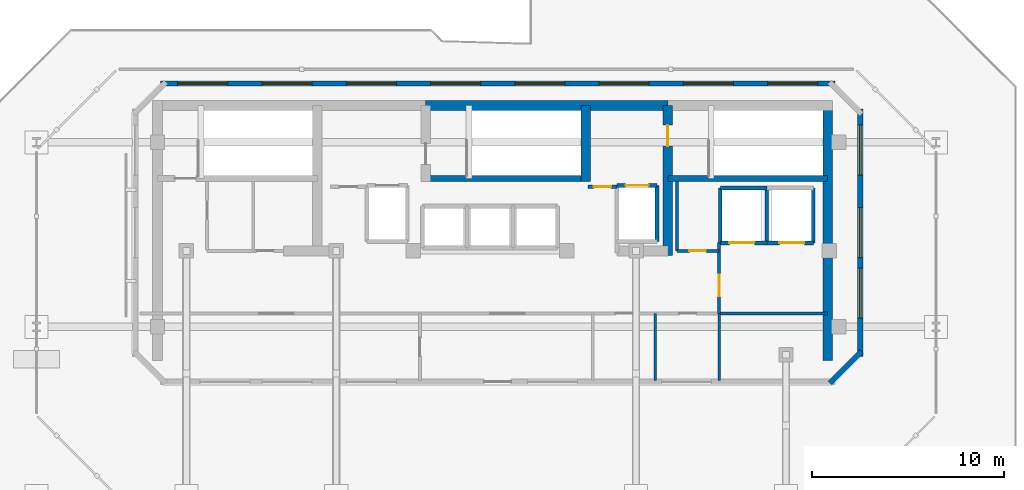
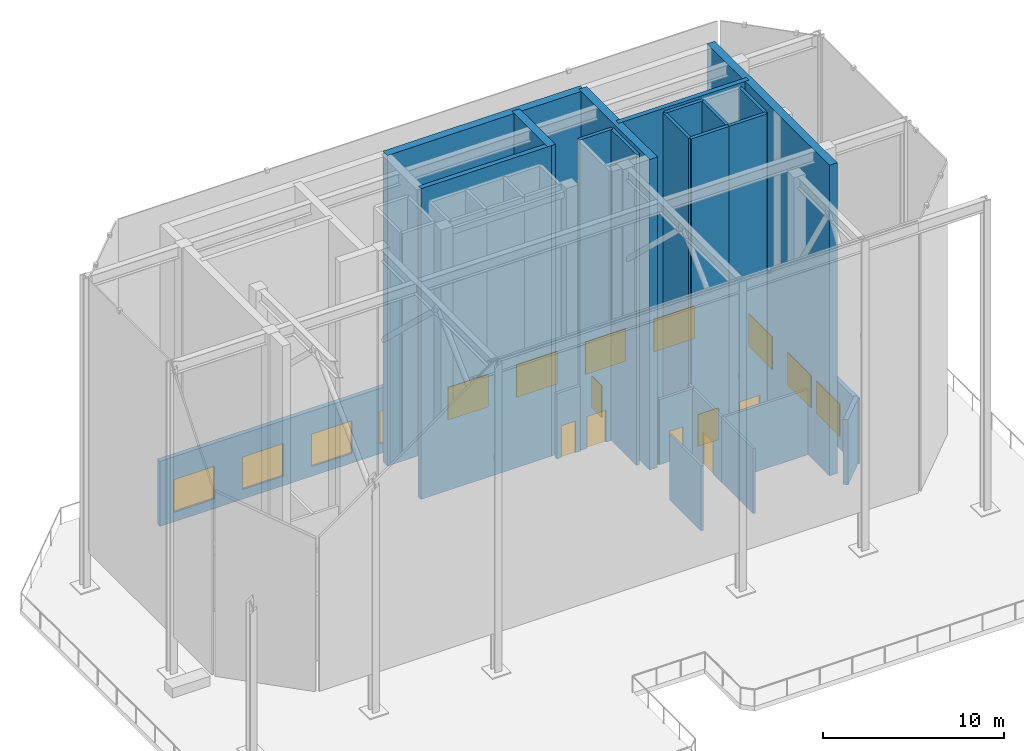
# One storey, part 3 of 5: 24 walls, 11 windows, 7 doors, 18 openings.
"""IFC4 building model written with IfcOpenShell, lengths in metres."""

from ifc_helpers import new_model, si_unit, direction, frame, frame_2d, origin, place, context, subcontext, project, spatial, rectangle, extrude, material, layer, layer_set, type_object, element, fill, save


model = new_model("IFC4")

# Units and contexts
model_context = context("Model", 3, precision=1e-05, world=origin(), true_north=direction((0.0, 1.0)))
body_context = subcontext(model_context, "Body", "Model", "MODEL_VIEW")
ifc_project = project(units=[si_unit("LENGTHUNIT", "METRE"), si_unit("AREAUNIT", "SQUARE_METRE"), si_unit("VOLUMEUNIT", "CUBIC_METRE"), si_unit("PLANEANGLEUNIT", "RADIAN"), si_unit("MASSUNIT", "GRAM", prefix="KILO")], contexts=[model_context])

# Site, building, storey
site_placement = place(None, origin())
site = spatial("IfcSite", under=ifc_project, at=site_placement, CompositionType="ELEMENT")
building_placement = place(site_placement, origin())
building = spatial("IfcBuilding", under=site, at=building_placement, Name="Kestravale Grand Hotel", CompositionType="ELEMENT")
storey_placement = place(building_placement, frame((0.0, 0.0, 311.39990234375)))
storey = spatial("IfcBuildingStorey", under=building, at=storey_placement, Name="Roof", CompositionType="ELEMENT", Elevation=311.39990234375)

# Walls
ifc_material_1 = material(Name="Concrete f'c 50 MPa", Category="concrete")
ifc_layer_1 = layer(ifc_material_1, 0.5)
ifc_layer_set_1 = layer_set([ifc_layer_1], Name="EW-CORE-500")
wall_type_1 = type_object("IfcWallType", Name="EW-CORE-500", PredefinedType="SHEAR", material=ifc_layer_set_1)
wall_1_placement = place(storey_placement, frame((35.85009765625, 40.320068359375, 0.0), z_axis=(0.0, 0.0, 1.0), x_axis=(1.0, 0.0, 0.0)))
element("IfcWall", 1, at=wall_1_placement, inside=storey, type_object=wall_type_1, Name="Roof core shear wall N2", PredefinedType="SHEAR", context=body_context, shape_type="SweptSolid", body=[
    extrude(rectangle(XDim=12.599853515625, YDim=0.5, at=frame_2d((6.2998046875, 0.0))), origin(), (0.0, 0.0, 1.0), 20.9501953125),
])
wall_2_placement = place(storey_placement, frame((56.77001953125, 27.050048828125, 0.0), z_axis=(0.0, 0.0, 1.0), x_axis=(0.0, 1.0, 0.0)))
element("IfcWall", 2, at=wall_2_placement, inside=storey, type_object=wall_type_1, Name="Roof core shear wall E1", PredefinedType="SHEAR", context=body_context, shape_type="SweptSolid", body=[
    extrude(rectangle(XDim=13.52001953125, YDim=0.5, at=frame_2d((6.760009765625, 0.0))), origin(), (0.0, 0.0, 1.0), 20.9501953125),
])
wall_3_placement = place(storey_placement, frame((44.179931640625, 36.3701171875, 0.0), z_axis=(0.0, 0.0, 1.0), x_axis=(0.0, 1.0, 0.0)))
element("IfcWall", 3, at=wall_3_placement, inside=storey, type_object=wall_type_1, Name="Roof core shear wall X3", PredefinedType="SHEAR", context=body_context, shape_type="SweptSolid", body=[
    extrude(rectangle(XDim=3.949951171875, YDim=0.5, at=frame_2d((1.97509765625, 0.0))), origin(), (0.0, 0.0, 1.0), 20.9501953125),
])

# Wall, opening, door
wall_4_placement = place(storey_placement, frame((48.449951171875, 32.5, 0.0), z_axis=(0.0, 0.0, 1.0), x_axis=(0.0, 1.0, 0.0)))
wall_4 = element("IfcWall", 4, at=wall_4_placement, inside=storey, type_object=wall_type_1, Name="Roof core shear wall X4", PredefinedType="SHEAR", context=body_context, shape_type="SweptSolid", body=[
    extrude(rectangle(XDim=7.820068359375, YDim=0.5, at=frame_2d((3.91015625, 0.0))), origin(), (0.0, 0.0, 1.0), 20.9501953125),
])
opening_1_placement = place(wall_4_placement, frame((5.699951171875, 0.0, 0.0)))
opening_1 = element("IfcOpeningElement", 5, at=opening_1_placement, cuts=wall_4, Name="Opening D-ST-1100", PredefinedType="OPENING", context=body_context, shape_type="SweptSolid", body=[
    extrude(rectangle(XDim=1.10009765625, YDim=2.14990234375, at=frame_2d((0.550048828125, 1.074951171875))), frame((0.0, 0.260009765625, 0.0), z_axis=(0.0, -1.0, 0.0), x_axis=(1.0, 0.0, 0.0)), (0.0, 0.0, 1.0), 0.52001953125),
])
ifc_material_2 = material(Name="Galvanised 90-minute fire-rated steel stair door", Category="steel")
door_type_1 = type_object("IfcDoorType", Name="D-ST-1100", OperationType="NOTDEFINED", PredefinedType="DOOR", material=ifc_material_2)
door_1_placement = place(opening_1_placement, origin())
door_1 = element("IfcDoor", 6, at=door_1_placement, inside=storey, type_object=door_type_1, Name="Roof Stair ST-3 FSAE fire door", OperationType="SINGLE_SWING_RIGHT", OverallHeight=2.14990234375, OverallWidth=1.10009765625, PredefinedType="DOOR", context=body_context, shape_type="SweptSolid", body=[
    extrude(rectangle(XDim=1.10009765625, YDim=2.14990234375, at=frame_2d((0.550048828125, 1.074951171875))), frame((0.0, 0.02490234375, 0.0), z_axis=(0.0, -1.0, 0.0), x_axis=(1.0, 0.0, 0.0)), (0.0, 0.0, 1.0), 0.050048828125),
])
fill(opening_1, door_1)

# Wall
ifc_material_3 = material(Name="Precast concrete f'c 45 MPa", Category="concrete")
ifc_layer_2 = layer(ifc_material_3, 0.280029296875)
ifc_layer_set_2 = layer_set([ifc_layer_2], Name="EW-PREC-280")
wall_type_2 = type_object("IfcWallType", Name="EW-PREC-280", PredefinedType="SOLIDWALL", material=ifc_layer_set_2)
wall_5_placement = place(storey_placement, frame((56.872802734375, 25.87060546875, 0.0), z_axis=(0.0, 0.0, 1.0), x_axis=(0.707054675017, 0.707158883517, 0.0)))
element("IfcWall", 7, at=wall_5_placement, inside=storey, type_object=wall_type_2, Name="Roof fluted precast facade wall 2", PredefinedType="SOLIDWALL", context=body_context, shape_type="SweptSolid", body=[
    extrude(rectangle(XDim=2.3427734375, YDim=0.280029296875, at=frame_2d((1.17138671875, 0.0))), origin(), (0.0, 0.0, 1.0), 4.400146484375),
])

# Wall, openings, windows
wall_6_placement = place(storey_placement, frame((58.4599609375, 27.260009765625, 0.0), z_axis=(0.0, 0.0, 1.0), x_axis=(0.0, 1.0, 0.0)))
wall_6 = element("IfcWall", 8, at=wall_6_placement, inside=storey, type_object=wall_type_2, Name="Roof fluted precast facade wall 3", PredefinedType="SOLIDWALL", context=body_context, shape_type="SweptSolid", body=[
    extrude(rectangle(XDim=12.8798828125, YDim=0.280029296875, at=frame_2d((6.43994140625, 0.0))), origin(), (0.0, 0.0, 1.0), 4.400146484375),
])
opening_2_placement = place(wall_6_placement, frame((1.99658203125, 0.0, 0.64990234375)))
opening_2 = element("IfcOpeningElement", 9, at=opening_2_placement, cuts=wall_6, Name="Opening W-SKY-2600", PredefinedType="OPENING", context=body_context, shape_type="SweptSolid", body=[
    extrude(rectangle(XDim=2.60009765625, YDim=2.199951171875, at=frame_2d((1.300048828125, 1.10009765625))), frame((0.0, 0.14990234375, 0.0), z_axis=(0.0, -1.0, 0.0), x_axis=(1.0, 0.0, 0.0)), (0.0, 0.0, 1.0), 0.300048828125),
])
opening_3_placement = place(wall_6_placement, frame((5.139892578125, 0.0, 0.64990234375)))
opening_3 = element("IfcOpeningElement", 10, at=opening_3_placement, cuts=wall_6, Name="Opening W-SKY-2600", PredefinedType="OPENING", context=body_context, shape_type="SweptSolid", body=[
    extrude(rectangle(XDim=2.60009765625, YDim=2.199951171875, at=frame_2d((1.300048828125, 1.10009765625))), frame((0.0, 0.14990234375, 0.0), z_axis=(0.0, -1.0, 0.0), x_axis=(1.0, 0.0, 0.0)), (0.0, 0.0, 1.0), 0.300048828125),
])
opening_4_placement = place(wall_6_placement, frame((9.433349609375, 0.0, 0.64990234375)))
opening_4 = element("IfcOpeningElement", 11, at=opening_4_placement, cuts=wall_6, Name="Opening W-SKY-2600", PredefinedType="OPENING", context=body_context, shape_type="SweptSolid", body=[
    extrude(rectangle(XDim=2.60009765625, YDim=2.199951171875, at=frame_2d((1.300048828125, 1.10009765625))), frame((0.0, 0.14990234375, 0.0), z_axis=(0.0, -1.0, 0.0), x_axis=(1.0, 0.0, 0.0)), (0.0, 0.0, 1.0), 0.300048828125),
])
ifc_material_4 = material(Name="Insulated low-E double glazing in aluminium frame", Category="aluminium")
window_type = type_object("IfcWindowType", Name="W-SKY-2600", PartitioningType="TRIPLE_PANEL_VERTICAL", PredefinedType="WINDOW", material=ifc_material_4)
window_1_placement = place(opening_2_placement, origin())
window_1 = element("IfcWindow", 12, at=window_1_placement, inside=storey, type_object=window_type, Name="Roof exterior window 3.1", OverallHeight=2.199951171875, OverallWidth=2.60009765625, PartitioningType="SINGLE_PANEL", PredefinedType="WINDOW", context=body_context, shape_type="SweptSolid", body=[
    extrude(rectangle(XDim=2.60009765625, YDim=2.199951171875, at=frame_2d((1.300048828125, 1.10009765625))), frame((0.0, 0.030029296875, 0.0), z_axis=(0.0, -1.0, 0.0), x_axis=(1.0, 0.0, 0.0)), (0.0, 0.0, 1.0), 0.06005859375),
])
fill(opening_2, window_1)
window_2_placement = place(opening_3_placement, origin())
window_2 = element("IfcWindow", 13, at=window_2_placement, inside=storey, type_object=window_type, Name="Roof exterior window 3.2", OverallHeight=2.199951171875, OverallWidth=2.60009765625, PartitioningType="SINGLE_PANEL", PredefinedType="WINDOW", context=body_context, shape_type="SweptSolid", body=[
    extrude(rectangle(XDim=2.60009765625, YDim=2.199951171875, at=frame_2d((1.300048828125, 1.10009765625))), frame((0.0, 0.030029296875, 0.0), z_axis=(0.0, -1.0, 0.0), x_axis=(1.0, 0.0, 0.0)), (0.0, 0.0, 1.0), 0.06005859375),
])
fill(opening_3, window_2)
window_3_placement = place(opening_4_placement, origin())
window_3 = element("IfcWindow", 14, at=window_3_placement, inside=storey, type_object=window_type, Name="Roof exterior window 3.3", OverallHeight=2.199951171875, OverallWidth=2.60009765625, PartitioningType="SINGLE_PANEL", PredefinedType="WINDOW", context=body_context, shape_type="SweptSolid", body=[
    extrude(rectangle(XDim=2.60009765625, YDim=2.199951171875, at=frame_2d((1.300048828125, 1.10009765625))), frame((0.0, 0.030029296875, 0.0), z_axis=(0.0, -1.0, 0.0), x_axis=(1.0, 0.0, 0.0)), (0.0, 0.0, 1.0), 0.06005859375),
])
fill(opening_4, window_3)

wall_7_placement = place(storey_placement, frame((57.139892578125, 41.4599609375, 0.0), z_axis=(0.0, 0.0, 1.0), x_axis=(-1.0, 0.0, 0.0)))
wall_7 = element("IfcWall", 15, at=wall_7_placement, inside=storey, type_object=wall_type_2, Name="Roof fluted precast facade wall 5", PredefinedType="SOLIDWALL", context=body_context, shape_type="SweptSolid", body=[
    extrude(rectangle(XDim=35.079833984375, YDim=0.280029296875, at=frame_2d((17.5400390625, 0.0))), origin(), (0.0, 0.0, 1.0), 4.400146484375),
])
opening_5_placement = place(wall_7_placement, frame((0.892578125, 0.0, 0.64990234375)))
opening_5 = element("IfcOpeningElement", 16, at=opening_5_placement, cuts=wall_7, Name="Opening W-SKY-2600", PredefinedType="OPENING", context=body_context, shape_type="SweptSolid", body=[
    extrude(rectangle(XDim=2.60009765625, YDim=2.199951171875, at=frame_2d((1.300048828125, 1.10009765625))), frame((0.0, 0.14990234375, 0.0), z_axis=(0.0, -1.0, 0.0), x_axis=(1.0, 0.0, 0.0)), (0.0, 0.0, 1.0), 0.300048828125),
])
opening_6_placement = place(wall_7_placement, frame((5.277587890625, 0.0, 0.64990234375)))
opening_6 = element("IfcOpeningElement", 17, at=opening_6_placement, cuts=wall_7, Name="Opening W-SKY-2600", PredefinedType="OPENING", context=body_context, shape_type="SweptSolid", body=[
    extrude(rectangle(XDim=2.60009765625, YDim=2.199951171875, at=frame_2d((1.300048828125, 1.10009765625))), frame((0.0, 0.14990234375, 0.0), z_axis=(0.0, -1.0, 0.0), x_axis=(1.0, 0.0, 0.0)), (0.0, 0.0, 1.0), 0.300048828125),
])
opening_7_placement = place(wall_7_placement, frame((9.66259765625, 0.0, 0.64990234375)))
opening_7 = element("IfcOpeningElement", 18, at=opening_7_placement, cuts=wall_7, Name="Opening W-SKY-2600", PredefinedType="OPENING", context=body_context, shape_type="SweptSolid", body=[
    extrude(rectangle(XDim=2.60009765625, YDim=2.199951171875, at=frame_2d((1.300048828125, 1.10009765625))), frame((0.0, 0.14990234375, 0.0), z_axis=(0.0, -1.0, 0.0), x_axis=(1.0, 0.0, 0.0)), (0.0, 0.0, 1.0), 0.300048828125),
])
opening_8_placement = place(wall_7_placement, frame((14.047607421875, 0.0, 0.64990234375)))
opening_8 = element("IfcOpeningElement", 19, at=opening_8_placement, cuts=wall_7, Name="Opening W-SKY-2600", PredefinedType="OPENING", context=body_context, shape_type="SweptSolid", body=[
    extrude(rectangle(XDim=2.60009765625, YDim=2.199951171875, at=frame_2d((1.300048828125, 1.10009765625))), frame((0.0, 0.14990234375, 0.0), z_axis=(0.0, -1.0, 0.0), x_axis=(1.0, 0.0, 0.0)), (0.0, 0.0, 1.0), 0.300048828125),
])
opening_9_placement = place(wall_7_placement, frame((18.4326171875, 0.0, 0.64990234375)))
opening_9 = element("IfcOpeningElement", 20, at=opening_9_placement, cuts=wall_7, Name="Opening W-SKY-2600", PredefinedType="OPENING", context=body_context, shape_type="SweptSolid", body=[
    extrude(rectangle(XDim=2.60009765625, YDim=2.199951171875, at=frame_2d((1.300048828125, 1.10009765625))), frame((0.0, 0.14990234375, 0.0), z_axis=(0.0, -1.0, 0.0), x_axis=(1.0, 0.0, 0.0)), (0.0, 0.0, 1.0), 0.300048828125),
])
opening_10_placement = place(wall_7_placement, frame((22.8173828125, 0.0, 0.64990234375)))
opening_10 = element("IfcOpeningElement", 21, at=opening_10_placement, cuts=wall_7, Name="Opening W-SKY-2600", PredefinedType="OPENING", context=body_context, shape_type="SweptSolid", body=[
    extrude(rectangle(XDim=2.60009765625, YDim=2.199951171875, at=frame_2d((1.300048828125, 1.10009765625))), frame((0.0, 0.14990234375, 0.0), z_axis=(0.0, -1.0, 0.0), x_axis=(1.0, 0.0, 0.0)), (0.0, 0.0, 1.0), 0.300048828125),
])
opening_11_placement = place(wall_7_placement, frame((27.202392578125, 0.0, 0.64990234375)))
opening_11 = element("IfcOpeningElement", 22, at=opening_11_placement, cuts=wall_7, Name="Opening W-SKY-2600", PredefinedType="OPENING", context=body_context, shape_type="SweptSolid", body=[
    extrude(rectangle(XDim=2.60009765625, YDim=2.199951171875, at=frame_2d((1.300048828125, 1.10009765625))), frame((0.0, 0.14990234375, 0.0), z_axis=(0.0, -1.0, 0.0), x_axis=(1.0, 0.0, 0.0)), (0.0, 0.0, 1.0), 0.300048828125),
])
opening_12_placement = place(wall_7_placement, frame((31.58740234375, 0.0, 0.64990234375)))
opening_12 = element("IfcOpeningElement", 23, at=opening_12_placement, cuts=wall_7, Name="Opening W-SKY-2600", PredefinedType="OPENING", context=body_context, shape_type="SweptSolid", body=[
    extrude(rectangle(XDim=2.60009765625, YDim=2.199951171875, at=frame_2d((1.300048828125, 1.10009765625))), frame((0.0, 0.14990234375, 0.0), z_axis=(0.0, -1.0, 0.0), x_axis=(1.0, 0.0, 0.0)), (0.0, 0.0, 1.0), 0.300048828125),
])
window_4_placement = place(opening_5_placement, origin())
window_4 = element("IfcWindow", 24, at=window_4_placement, inside=storey, type_object=window_type, Name="Roof exterior window 5.1", OverallHeight=2.199951171875, OverallWidth=2.60009765625, PartitioningType="SINGLE_PANEL", PredefinedType="WINDOW", context=body_context, shape_type="SweptSolid", body=[
    extrude(rectangle(XDim=2.60009765625, YDim=2.199951171875, at=frame_2d((1.300048828125, 1.10009765625))), frame((0.0, 0.030029296875, 0.0), z_axis=(0.0, -1.0, 0.0), x_axis=(1.0, 0.0, 0.0)), (0.0, 0.0, 1.0), 0.06005859375),
])
fill(opening_5, window_4)
window_5_placement = place(opening_6_placement, origin())
window_5 = element("IfcWindow", 25, at=window_5_placement, inside=storey, type_object=window_type, Name="Roof exterior window 5.2", OverallHeight=2.199951171875, OverallWidth=2.60009765625, PartitioningType="SINGLE_PANEL", PredefinedType="WINDOW", context=body_context, shape_type="SweptSolid", body=[
    extrude(rectangle(XDim=2.60009765625, YDim=2.199951171875, at=frame_2d((1.300048828125, 1.10009765625))), frame((0.0, 0.030029296875, 0.0), z_axis=(0.0, -1.0, 0.0), x_axis=(1.0, 0.0, 0.0)), (0.0, 0.0, 1.0), 0.06005859375),
])
fill(opening_6, window_5)
window_6_placement = place(opening_7_placement, origin())
window_6 = element("IfcWindow", 26, at=window_6_placement, inside=storey, type_object=window_type, Name="Roof exterior window 5.3", OverallHeight=2.199951171875, OverallWidth=2.60009765625, PartitioningType="SINGLE_PANEL", PredefinedType="WINDOW", context=body_context, shape_type="SweptSolid", body=[
    extrude(rectangle(XDim=2.60009765625, YDim=2.199951171875, at=frame_2d((1.300048828125, 1.10009765625))), frame((0.0, 0.030029296875, 0.0), z_axis=(0.0, -1.0, 0.0), x_axis=(1.0, 0.0, 0.0)), (0.0, 0.0, 1.0), 0.06005859375),
])
fill(opening_7, window_6)
window_7_placement = place(opening_8_placement, origin())
window_7 = element("IfcWindow", 27, at=window_7_placement, inside=storey, type_object=window_type, Name="Roof exterior window 5.4", OverallHeight=2.199951171875, OverallWidth=2.60009765625, PartitioningType="SINGLE_PANEL", PredefinedType="WINDOW", context=body_context, shape_type="SweptSolid", body=[
    extrude(rectangle(XDim=2.60009765625, YDim=2.199951171875, at=frame_2d((1.300048828125, 1.10009765625))), frame((0.0, 0.030029296875, 0.0), z_axis=(0.0, -1.0, 0.0), x_axis=(1.0, 0.0, 0.0)), (0.0, 0.0, 1.0), 0.06005859375),
])
fill(opening_8, window_7)
window_8_placement = place(opening_9_placement, origin())
window_8 = element("IfcWindow", 28, at=window_8_placement, inside=storey, type_object=window_type, Name="Roof exterior window 5.5", OverallHeight=2.199951171875, OverallWidth=2.60009765625, PartitioningType="SINGLE_PANEL", PredefinedType="WINDOW", context=body_context, shape_type="SweptSolid", body=[
    extrude(rectangle(XDim=2.60009765625, YDim=2.199951171875, at=frame_2d((1.300048828125, 1.10009765625))), frame((0.0, 0.030029296875, 0.0), z_axis=(0.0, -1.0, 0.0), x_axis=(1.0, 0.0, 0.0)), (0.0, 0.0, 1.0), 0.06005859375),
])
fill(opening_9, window_8)
window_9_placement = place(opening_10_placement, origin())
window_9 = element("IfcWindow", 29, at=window_9_placement, inside=storey, type_object=window_type, Name="Roof exterior window 5.6", OverallHeight=2.199951171875, OverallWidth=2.60009765625, PartitioningType="SINGLE_PANEL", PredefinedType="WINDOW", context=body_context, shape_type="SweptSolid", body=[
    extrude(rectangle(XDim=2.60009765625, YDim=2.199951171875, at=frame_2d((1.300048828125, 1.10009765625))), frame((0.0, 0.030029296875, 0.0), z_axis=(0.0, -1.0, 0.0), x_axis=(1.0, 0.0, 0.0)), (0.0, 0.0, 1.0), 0.06005859375),
])
fill(opening_10, window_9)
window_10_placement = place(opening_11_placement, origin())
window_10 = element("IfcWindow", 30, at=window_10_placement, inside=storey, type_object=window_type, Name="Roof exterior window 5.7", OverallHeight=2.199951171875, OverallWidth=2.60009765625, PartitioningType="SINGLE_PANEL", PredefinedType="WINDOW", context=body_context, shape_type="SweptSolid", body=[
    extrude(rectangle(XDim=2.60009765625, YDim=2.199951171875, at=frame_2d((1.300048828125, 1.10009765625))), frame((0.0, 0.030029296875, 0.0), z_axis=(0.0, -1.0, 0.0), x_axis=(1.0, 0.0, 0.0)), (0.0, 0.0, 1.0), 0.06005859375),
])
fill(opening_11, window_10)
window_11_placement = place(opening_12_placement, origin())
window_11 = element("IfcWindow", 31, at=window_11_placement, inside=storey, type_object=window_type, Name="Roof exterior window 5.8", OverallHeight=2.199951171875, OverallWidth=2.60009765625, PartitioningType="SINGLE_PANEL", PredefinedType="WINDOW", context=body_context, shape_type="SweptSolid", body=[
    extrude(rectangle(XDim=2.60009765625, YDim=2.199951171875, at=frame_2d((1.300048828125, 1.10009765625))), frame((0.0, 0.030029296875, 0.0), z_axis=(0.0, -1.0, 0.0), x_axis=(1.0, 0.0, 0.0)), (0.0, 0.0, 1.0), 0.06005859375),
])
fill(opening_12, window_11)

# Walls
ifc_material_5 = material(Name="Concrete f'c 45 MPa", Category="concrete")
ifc_layer_3 = layer(ifc_material_5, 0.300048828125)
ifc_layer_set_3 = layer_set([ifc_layer_3], Name="EW-STAIR-300")
wall_type_3 = type_object("IfcWallType", Name="EW-STAIR-300", PredefinedType="SHEAR", material=ifc_layer_set_3)
wall_8_placement = place(storey_placement, frame((35.85009765625, 36.52001953125, 0.0), z_axis=(0.0, 0.0, 1.0), x_axis=(1.0, 0.0, 0.0)))
element("IfcWall", 32, at=wall_8_placement, inside=storey, type_object=wall_type_3, Name="Roof stair enclosure shear wall SST2", PredefinedType="SHEAR", context=body_context, shape_type="SweptSolid", body=[
    extrude(rectangle(XDim=8.329833984375, YDim=0.300048828125, at=frame_2d((4.1650390625, 0.0))), origin(), (0.0, 0.0, 1.0), 20.9501953125),
])
wall_9_placement = place(storey_placement, frame((48.449951171875, 36.52001953125, 0.0), z_axis=(0.0, 0.0, 1.0), x_axis=(1.0, 0.0, 0.0)))
element("IfcWall", 33, at=wall_9_placement, inside=storey, type_object=wall_type_3, Name="Roof stair enclosure shear wall SST3", PredefinedType="SHEAR", context=body_context, shape_type="SweptSolid", body=[
    extrude(rectangle(XDim=8.320068359375, YDim=0.300048828125, at=frame_2d((4.16015625, 0.0))), origin(), (0.0, 0.0, 1.0), 20.9501953125),
])

# Wall, opening, door
ifc_material_6 = material(Name="Acoustic fire-rated gypsum board partition", Category="other")
ifc_layer_4 = layer(ifc_material_6, 0.159912109375)
ifc_layer_set_4 = layer_set([ifc_layer_4], Name="IW-CORR-160")
wall_type_4 = type_object("IfcWallType", Name="IW-CORR-160", PredefinedType="PARTITIONING", material=ifc_layer_set_4)
wall_10_placement = place(storey_placement, frame((51.1201171875, 29.5, 0.0), z_axis=(0.0, 0.0, 1.0), x_axis=(0.0, 1.0, 0.0)))
wall_10 = element("IfcWall", 34, at=wall_10_placement, inside=storey, type_object=wall_type_4, Name="W-Roof-SVCLOB-W", PredefinedType="PARTITIONING", context=body_context, shape_type="SweptSolid", body=[
    extrude(rectangle(XDim=3.699951171875, YDim=0.159912109375, at=frame_2d((1.85009765625, 0.0))), origin(), (0.0, 0.0, 1.0), 4.400146484375),
])
opening_13_placement = place(wall_10_placement, frame((0.89990234375, 0.0, 0.0)))
opening_13 = element("IfcOpeningElement", 35, at=opening_13_placement, cuts=wall_10, Name="Opening D-CORR-1100", PredefinedType="OPENING", context=body_context, shape_type="SweptSolid", body=[
    extrude(rectangle(XDim=1.10009765625, YDim=2.14990234375, at=frame_2d((0.550048828125, 1.074951171875))), frame((0.0, 0.08984375, 0.0), z_axis=(0.0, -1.0, 0.0), x_axis=(1.0, 0.0, 0.0)), (0.0, 0.0, 1.0), 0.179931640625),
])
ifc_material_7 = material(Name="Single-leaf service vestibule fire door", Category="steel")
door_type_2 = type_object("IfcDoorType", Name="D-CORR-1100", OperationType="NOTDEFINED", PredefinedType="DOOR", material=ifc_material_7)
door_2_placement = place(opening_13_placement, origin())
door_2 = element("IfcDoor", 36, at=door_2_placement, inside=storey, type_object=door_type_2, Name="Roof service lift lobby door", OperationType="SINGLE_SWING_LEFT", OverallHeight=2.14990234375, OverallWidth=1.10009765625, PredefinedType="DOOR", context=body_context, shape_type="SweptSolid", body=[
    extrude(rectangle(XDim=1.10009765625, YDim=2.14990234375, at=frame_2d((0.550048828125, 1.074951171875))), frame((0.0, 0.02490234375, 0.0), z_axis=(0.0, -1.0, 0.0), x_axis=(1.0, 0.0, 0.0)), (0.0, 0.0, 1.0), 0.050048828125),
])
fill(opening_13, door_2)

# Wall
wall_11_placement = place(storey_placement, frame((51.1201171875, 29.5, 0.0), z_axis=(0.0, 0.0, 1.0), x_axis=(1.0, 0.0, 0.0)))
element("IfcWall", 37, at=wall_11_placement, inside=storey, type_object=wall_type_4, Name="Roof service lift lobby wall", PredefinedType="PARTITIONING", context=body_context, shape_type="SweptSolid", body=[
    extrude(rectangle(XDim=5.6298828125, YDim=0.159912109375, at=frame_2d((2.81494140625, 0.0))), origin(), (0.0, 0.0, 1.0), 4.400146484375),
])

# Wall, opening, door
wall_12_placement = place(storey_placement, frame((48.919921875, 32.75, 0.0), z_axis=(0.0, 0.0, 1.0), x_axis=(1.0, 0.0, 0.0)))
wall_12 = element("IfcWall", 38, at=wall_12_placement, inside=storey, type_object=wall_type_4, Name="W-Roof-CES", PredefinedType="PARTITIONING", context=body_context, shape_type="SweptSolid", body=[
    extrude(rectangle(XDim=2.2001953125, YDim=0.159912109375, at=frame_2d((1.10009765625, 0.0))), origin(), (0.0, 0.0, 1.0), 4.400146484375),
])
opening_14_placement = place(wall_12_placement, frame((0.64990234375, 0.0, 0.0)))
opening_14 = element("IfcOpeningElement", 39, at=opening_14_placement, cuts=wall_12, Name="Opening D-SH-860", PredefinedType="OPENING", context=body_context, shape_type="SweptSolid", body=[
    extrude(rectangle(XDim=0.860107421875, YDim=2.050048828125, at=frame_2d((0.43017578125, 1.02490234375))), frame((0.0, 0.08984375, 0.0), z_axis=(0.0, -1.0, 0.0), x_axis=(1.0, 0.0, 0.0)), (0.0, 0.0, 1.0), 0.179931640625),
])
ifc_material_8 = material(Name="Galvanised 90-minute riser fire door", Category="steel")
door_type_3 = type_object("IfcDoorType", Name="D-SH-860", OperationType="NOTDEFINED", PredefinedType="DOOR", material=ifc_material_8)
door_3_placement = place(opening_14_placement, origin())
door_3 = element("IfcDoor", 40, at=door_3_placement, inside=storey, type_object=door_type_3, Name="Roof CSTO1 door", OperationType="SINGLE_SWING_RIGHT", OverallHeight=2.050048828125, OverallWidth=0.860107421875, PredefinedType="DOOR", context=body_context, shape_type="SweptSolid", body=[
    extrude(rectangle(XDim=0.860107421875, YDim=2.050048828125, at=frame_2d((0.43017578125, 1.02490234375))), frame((0.0, 0.02490234375, 0.0), z_axis=(0.0, -1.0, 0.0), x_axis=(1.0, 0.0, 0.0)), (0.0, 0.0, 1.0), 0.050048828125),
])
fill(opening_14, door_3)

ifc_material_9 = material(Name="Fire-rated gypsum board on steel studs with mineral wool", Category="steel")
ifc_layer_5 = layer(ifc_material_9, 0.179931640625)
ifc_layer_set_5 = layer_set([ifc_layer_5], Name="IW-FSAE-180")
wall_type_5 = type_object("IfcWallType", Name="IW-FSAE-180", PredefinedType="PARTITIONING", material=ifc_layer_set_5)
wall_13_placement = place(storey_placement, frame((44.300048828125, 36.080078125, 0.0), z_axis=(0.0, 0.0, 1.0), x_axis=(1.0, 0.0, 0.0)))
wall_13 = element("IfcWall", 41, at=wall_13_placement, inside=storey, type_object=wall_type_5, Name="Roof FSAE Lobby 2 smoke barrier", PredefinedType="PARTITIONING", context=body_context, shape_type="SweptSolid", body=[
    extrude(rectangle(XDim=1.5, YDim=0.179931640625, at=frame_2d((0.75, 0.0))), origin(), (0.0, 0.0, 1.0), 4.400146484375),
])
opening_15_placement = place(wall_13_placement, frame((0.300048828125, 0.0, 0.0)))
opening_15 = element("IfcOpeningElement", 42, at=opening_15_placement, cuts=wall_13, Name="Opening D-FSAE-1000", PredefinedType="OPENING", context=body_context, shape_type="SweptSolid", body=[
    extrude(rectangle(XDim=0.89990234375, YDim=2.14990234375, at=frame_2d((0.449951171875, 1.074951171875))), frame((0.0, 0.099853515625, 0.0), z_axis=(0.0, -1.0, 0.0), x_axis=(1.0, 0.0, 0.0)), (0.0, 0.0, 1.0), 0.199951171875),
])
ifc_material_10 = material(Name="Smoke-gasketed FSAE lobby fire door", Category="steel")
door_type_4 = type_object("IfcDoorType", Name="D-FSAE-1000", OperationType="NOTDEFINED", PredefinedType="DOOR", material=ifc_material_10)
door_4_placement = place(opening_15_placement, origin())
door_4 = element("IfcDoor", 43, at=door_4_placement, inside=storey, type_object=door_type_4, Name="Roof FSAE Lobby 2 fire door", OperationType="SINGLE_SWING_LEFT", OverallHeight=2.14990234375, OverallWidth=0.89990234375, PredefinedType="DOOR", context=body_context, shape_type="SweptSolid", body=[
    extrude(rectangle(XDim=0.89990234375, YDim=2.14990234375, at=frame_2d((0.449951171875, 1.074951171875))), frame((0.0, 0.02490234375, 0.0), z_axis=(0.0, -1.0, 0.0), x_axis=(1.0, 0.0, 0.0)), (0.0, 0.0, 1.0), 0.050048828125),
])
fill(opening_15, door_4)

# Walls
ifc_material_11 = material(Name="Moisture-resistant tile-backer plumbing chase wall", Category="other")
ifc_layer_6 = layer(ifc_material_11, 0.139892578125)
ifc_layer_set_6 = layer_set([ifc_layer_6], Name="IW-PLB-140")
wall_type_6 = type_object("IfcWallType", Name="IW-PLB-140", PredefinedType="PLUMBINGWALL", material=ifc_layer_set_6)
for number, where, z_axis, x_axis, name in (
    (44, (47.800048828125, 26.0, 0.0), (0.0, 0.0, 1.0), (0.0, 1.0, 0.0), "W-Roof-B3"),
    (45, (51.1201171875, 26.0, 0.0), (0.0, 0.0, 1.0), (0.0, 1.0, 0.0), "W-Roof-B4"),
):
    element("IfcWall", number, at=place(storey_placement, frame(where, z_axis=z_axis, x_axis=x_axis)), inside=storey, type_object=wall_type_6, Name=name, PredefinedType="PLUMBINGWALL", context=body_context, shape_type="SweptSolid", body=[
        extrude(rectangle(XDim=3.5, YDim=0.139892578125, at=frame_2d((1.75, 0.0))), origin(), (0.0, 0.0, 1.0), 4.400146484375),
    ])
ifc_material_12 = material(Name="Concrete f'c 45 MPa", Category="concrete")
ifc_layer_7 = layer(ifc_material_12, 0.199951171875)
ifc_layer_set_7 = layer_set([ifc_layer_7], Name="IW-SHAFT-200")
wall_type_7 = type_object("IfcWallType", Name="IW-SHAFT-200", PredefinedType="SHEAR", material=ifc_layer_set_7)
for number, where, z_axis, x_axis, name in (
    (46, (51.179931640625, 33.169921875, 0.0), (0.0, 0.0, 1.0), (0.0, 1.0, 0.0), "Roof SL-1 west shaft wall"),
    (47, (53.60009765625, 33.169921875, 0.0), (0.0, 0.0, 1.0), (0.0, 1.0, 0.0), "Roof SL-2 west shaft wall"),
    (48, (56.02001953125, 33.169921875, 0.0), (0.0, 0.0, 1.0), (0.0, 1.0, 0.0), "Roof SL-2 east shaft wall"),
):
    element("IfcWall", number, at=place(storey_placement, frame(where, z_axis=z_axis, x_axis=x_axis)), inside=storey, type_object=wall_type_7, Name=name, PredefinedType="SHEAR", context=body_context, shape_type="SweptSolid", body=[
        extrude(rectangle(XDim=2.860107421875, YDim=0.199951171875, at=frame_2d((1.43017578125, 0.0))), origin(), (0.0, 0.0, 1.0), 20.9501953125),
    ])
wall_14_placement = place(storey_placement, frame((47.89501953125, 33.2451171875, 0.0), z_axis=(0.0, 0.0, 1.0), x_axis=(0.0, 1.0, 0.0)))
element("IfcWall", 49, at=wall_14_placement, inside=storey, type_object=wall_type_7, Name="Roof FL-2 east shaft wall", PredefinedType="SHEAR", context=body_context, shape_type="SweptSolid", body=[
    extrude(rectangle(XDim=2.909912109375, YDim=0.199951171875, at=frame_2d((1.455078125, 0.0))), origin(), (0.0, 0.0, 1.0), 20.9501953125),
])
ifc_material_13 = material(Name="Concrete f'c 45 MPa", Category="concrete")
ifc_layer_8 = layer(ifc_material_13, 0.219970703125)
ifc_layer_set_8 = layer_set([ifc_layer_8], Name="IW-SHAFT-220")
wall_type_8 = type_object("IfcWallType", Name="IW-SHAFT-220", PredefinedType="SHEAR", material=ifc_layer_set_8)
wall_15_placement = place(storey_placement, frame((51.179931640625, 36.030029296875, 0.0), z_axis=(0.0, 0.0, 1.0), x_axis=(1.0, 0.0, 0.0)))
element("IfcWall", 50, at=wall_15_placement, inside=storey, type_object=wall_type_8, Name="Roof SL-1 north shaft wall", PredefinedType="SHEAR", context=body_context, shape_type="SweptSolid", body=[
    extrude(rectangle(XDim=2.420166015625, YDim=0.219970703125, at=frame_2d((1.2099609375, 0.0))), origin(), (0.0, 0.0, 1.0), 20.9501953125),
])

# Wall, opening, door
wall_16_placement = place(storey_placement, frame((51.179931640625, 33.169921875, 0.0), z_axis=(0.0, 0.0, 1.0), x_axis=(1.0, 0.0, 0.0)))
wall_16 = element("IfcWall", 51, at=wall_16_placement, inside=storey, type_object=wall_type_8, Name="Roof SL-1 south shaft wall", PredefinedType="SHEAR", context=body_context, shape_type="SweptSolid", body=[
    extrude(rectangle(XDim=2.420166015625, YDim=0.219970703125, at=frame_2d((1.2099609375, 0.0))), origin(), (0.0, 0.0, 1.0), 20.9501953125),
])
opening_16_placement = place(wall_16_placement, frame((0.469970703125, 0.0, 0.0)))
opening_16 = element("IfcOpeningElement", 52, at=opening_16_placement, cuts=wall_16, Name="Opening LD-SVC-1300", PredefinedType="OPENING", context=body_context, shape_type="SweptSolid", body=[
    extrude(rectangle(XDim=1.300048828125, YDim=2.14990234375, at=frame_2d((0.64990234375, 1.074951171875))), frame((0.0, 0.119873046875, 0.0), z_axis=(0.0, -1.0, 0.0), x_axis=(1.0, 0.0, 0.0)), (0.0, 0.0, 1.0), 0.239990234375),
])
ifc_material_14 = material(Name="Heavy-duty service sliding elevator landing door", Category="steel")
door_type_5 = type_object("IfcDoorType", Name="LD-SVC-1300", OperationType="NOTDEFINED", PredefinedType="DOOR", material=ifc_material_14)
door_5_placement = place(opening_16_placement, origin())
door_5 = element("IfcDoor", 53, at=door_5_placement, inside=storey, type_object=door_type_5, Name="Roof SL-1 elevator landing sliding door", OperationType="DOUBLE_DOOR_SLIDING", OverallHeight=2.14990234375, OverallWidth=1.300048828125, PredefinedType="DOOR", context=body_context, shape_type="SweptSolid", body=[
    extrude(rectangle(XDim=1.300048828125, YDim=2.14990234375, at=frame_2d((0.64990234375, 1.074951171875))), frame((0.0, 0.02490234375, 0.0), z_axis=(0.0, -1.0, 0.0), x_axis=(1.0, 0.0, 0.0)), (0.0, 0.0, 1.0), 0.050048828125),
])
fill(opening_16, door_5)

wall_17_placement = place(storey_placement, frame((53.60009765625, 33.169921875, 0.0), z_axis=(0.0, 0.0, 1.0), x_axis=(1.0, 0.0, 0.0)))
wall_17 = element("IfcWall", 54, at=wall_17_placement, inside=storey, type_object=wall_type_8, Name="Roof SL-2 south shaft wall", PredefinedType="SHEAR", context=body_context, shape_type="SweptSolid", body=[
    extrude(rectangle(XDim=2.419921875, YDim=0.219970703125, at=frame_2d((1.2099609375, 0.0))), origin(), (0.0, 0.0, 1.0), 20.9501953125),
])
opening_17_placement = place(wall_17_placement, frame((0.64990234375, 0.0, 0.0)))
opening_17 = element("IfcOpeningElement", 55, at=opening_17_placement, cuts=wall_17, Name="Opening LD-SVC-1300", PredefinedType="OPENING", context=body_context, shape_type="SweptSolid", body=[
    extrude(rectangle(XDim=1.300048828125, YDim=2.14990234375, at=frame_2d((0.64990234375, 1.074951171875))), frame((0.0, 0.119873046875, 0.0), z_axis=(0.0, -1.0, 0.0), x_axis=(1.0, 0.0, 0.0)), (0.0, 0.0, 1.0), 0.239990234375),
])
door_6_placement = place(opening_17_placement, origin())
door_6 = element("IfcDoor", 56, at=door_6_placement, inside=storey, type_object=door_type_5, Name="Roof SL-2 elevator landing sliding door", OperationType="DOUBLE_DOOR_SLIDING", OverallHeight=2.14990234375, OverallWidth=1.300048828125, PredefinedType="DOOR", context=body_context, shape_type="SweptSolid", body=[
    extrude(rectangle(XDim=1.300048828125, YDim=2.14990234375, at=frame_2d((0.64990234375, 1.074951171875))), frame((0.0, 0.02490234375, 0.0), z_axis=(0.0, -1.0, 0.0), x_axis=(1.0, 0.0, 0.0)), (0.0, 0.0, 1.0), 0.050048828125),
])
fill(opening_17, door_6)

wall_18_placement = place(storey_placement, frame((45.804931640625, 36.155029296875, 0.0), z_axis=(0.0, 0.0, 1.0), x_axis=(1.0, 0.0, 0.0)))
wall_18 = element("IfcWall", 57, at=wall_18_placement, inside=storey, type_object=wall_type_8, Name="Roof FL-2 north shaft wall", PredefinedType="SHEAR", context=body_context, shape_type="SweptSolid", body=[
    extrude(rectangle(XDim=2.090087890625, YDim=0.219970703125, at=frame_2d((1.044921875, 0.0))), origin(), (0.0, 0.0, 1.0), 20.9501953125),
])
opening_18_placement = place(wall_18_placement, frame((0.445068359375, 0.0, 0.0)))
opening_18 = element("IfcOpeningElement", 58, at=opening_18_placement, cuts=wall_18, Name="Opening LD-FSAE-1200", PredefinedType="OPENING", context=body_context, shape_type="SweptSolid", body=[
    extrude(rectangle(XDim=1.199951171875, YDim=2.14990234375, at=frame_2d((0.60009765625, 1.074951171875))), frame((0.0, 0.119873046875, 0.0), z_axis=(0.0, -1.0, 0.0), x_axis=(1.0, 0.0, 0.0)), (0.0, 0.0, 1.0), 0.239990234375),
])
ifc_material_15 = material(Name="Stainless fire-service sliding elevator landing door", Category="steel")
door_type_6 = type_object("IfcDoorType", Name="LD-FSAE-1200", OperationType="NOTDEFINED", PredefinedType="DOOR", material=ifc_material_15)
door_7_placement = place(opening_18_placement, origin())
door_7 = element("IfcDoor", 59, at=door_7_placement, inside=storey, type_object=door_type_6, Name="Roof FL-2 elevator landing sliding door", OperationType="DOUBLE_DOOR_SLIDING", OverallHeight=2.14990234375, OverallWidth=1.199951171875, PredefinedType="DOOR", context=body_context, shape_type="SweptSolid", body=[
    extrude(rectangle(XDim=1.199951171875, YDim=2.14990234375, at=frame_2d((0.60009765625, 1.074951171875))), frame((0.0, 0.02490234375, 0.0), z_axis=(0.0, -1.0, 0.0), x_axis=(1.0, 0.0, 0.0)), (0.0, 0.0, 1.0), 0.050048828125),
])
fill(opening_18, door_7)

# Wall
ifc_material_16 = material(Name="Double-stud STC 52 acoustic demising partition", Category="other")
ifc_layer_9 = layer(ifc_material_16, 0.14990234375)
ifc_layer_set_9 = layer_set([ifc_layer_9], Name="IW-UNIT-150")
wall_type_9 = type_object("IfcWallType", Name="IW-UNIT-150", PredefinedType="PARTITIONING", material=ifc_layer_set_9)
wall_19_placement = place(storey_placement, frame((48.919921875, 32.75, 0.0), z_axis=(0.0, 0.0, 1.0), x_axis=(0.0, 1.0, 0.0)))
element("IfcWall", 60, at=wall_19_placement, inside=storey, type_object=wall_type_9, Name="W-Roof-CEW", PredefinedType="PARTITIONING", context=body_context, shape_type="SweptSolid", body=[
    extrude(rectangle(XDim=3.6201171875, YDim=0.14990234375, at=frame_2d((1.81005859375, 0.0))), origin(), (0.0, 0.0, 1.0), 4.400146484375),
])

save(model, "model.ifc")
